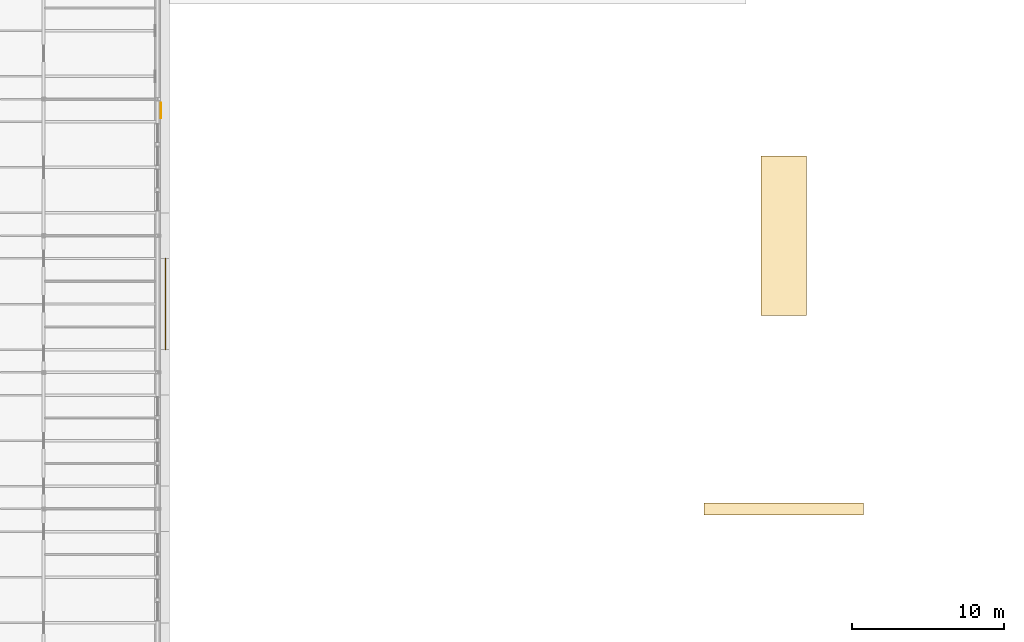
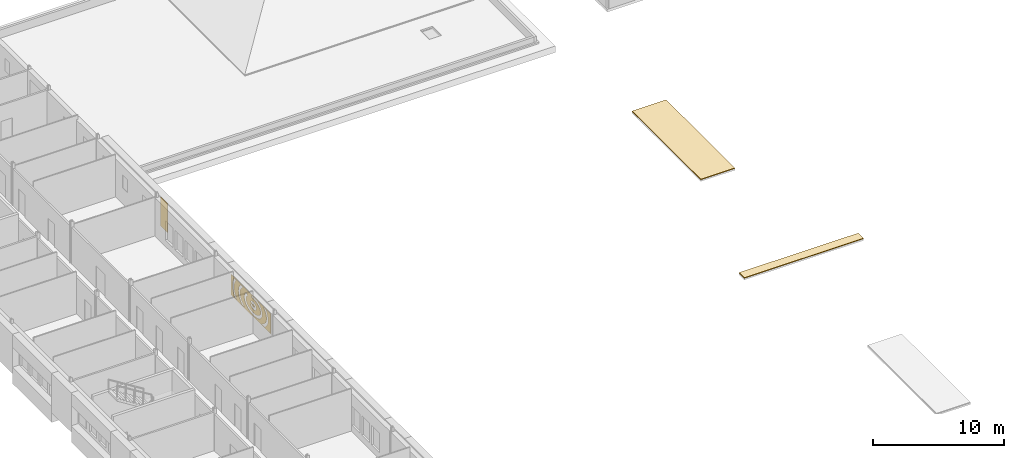
# One storey, part 36 of 42: 4 coverings.
"""IFC4 building model written with IfcOpenShell, lengths in metres."""

from ifc_helpers import new_model, si_unit, direction, frame, origin, place, context, subcontext, project, spatial, polyline, outline, extrude, material, layer, layer_set, type_object, element, save


model = new_model("IFC4")

# Units and contexts
model_context = context("Model", 3, precision=1e-05, world=origin(), true_north=direction((0.0, 1.0)))
body_context = subcontext(model_context, "Body", "Model", "MODEL_VIEW")
ifc_project = project(units=[si_unit("LENGTHUNIT", "METRE"), si_unit("AREAUNIT", "SQUARE_METRE"), si_unit("VOLUMEUNIT", "CUBIC_METRE"), si_unit("PLANEANGLEUNIT", "RADIAN"), si_unit("MASSUNIT", "GRAM", prefix="KILO")], contexts=[model_context])

# Site, building, storey
site_placement = place(None, origin())
site = spatial("IfcSite", under=ifc_project, at=site_placement, CompositionType="ELEMENT")
building_placement = place(site_placement, origin())
building = spatial("IfcBuilding", under=site, at=building_placement, Name="Golden Quay Civic Hall", CompositionType="ELEMENT")
storey_placement = place(building_placement, frame((0.0, 0.0, 22.800048828125)))
storey = spatial("IfcBuildingStorey", under=building, at=storey_placement, Name="L05", CompositionType="ELEMENT", Elevation=22.800048828125)

# Coverings
ifc_material_1 = material(Name="Clay roof tile")
ifc_layer_1 = layer(ifc_material_1, 0.06005859375)
ifc_layer_set_1 = layer_set([ifc_layer_1], Name="Clay roof tile 60")
covering_type_1 = type_object("IfcCoveringType", Name="Clay roof tile 60", PredefinedType="ROOFING", material=ifc_layer_set_1)
covering_1_placement = place(storey_placement, frame((0.0, 0.0, -0.1474609375)))
element("IfcCovering", 1, at=covering_1_placement, inside=storey, type_object=covering_type_1, Name="Roof tiles WM-N cap", PredefinedType="ROOFING", context=body_context, shape_type="SweptSolid", body=[
    extrude(outline(polyline([(57.75, 39.75), (60.75, 39.75), (60.75, 50.25), (57.75, 50.25), (57.75, 39.75)])), origin(), (0.0, 0.0, 1.0), 0.059814453125),
])
covering_2_placement = place(storey_placement, frame((0.0, 0.0, -0.044189453125)))
element("IfcCovering", 2, at=covering_2_placement, inside=storey, type_object=covering_type_1, Name="Roof tiles gable ridge", PredefinedType="ROOFING", context=body_context, shape_type="SweptSolid", body=[
    extrude(outline(polyline([(54.0, 26.60009765625), (64.5, 26.60009765625), (64.5, 27.39990234375), (54.0, 27.39990234375), (54.0, 26.60009765625)])), origin(), (0.0, 0.0, 1.0), 0.06005859375),
])
ifc_material_2 = material(Name="Aluminium, golden anodised, perforated", Category="aluminium")
ifc_layer_2 = layer(ifc_material_2, 0.0400390625)
ifc_layer_set_2 = layer_set([ifc_layer_2], Name="Perforated screen panel 6000 x 1880 x 40")
covering_type_2 = type_object("IfcCoveringType", Name="Perforated screen panel 6000 x 1880 x 40", PredefinedType="CLADDING", material=ifc_layer_set_2)
covering_3_placement = place(storey_placement, frame((18.5, 40.5, 1.5400390625), z_axis=(1.0, 0.0, 0.0), x_axis=(0.0, 1.0, 0.0)))
element("IfcCovering", 3, at=covering_3_placement, inside=storey, type_object=covering_type_2, Name="Perforated screen panel 6000 x 1880 x 40 L05 5", PredefinedType="CLADDING", context=body_context, shape_type="SweptSolid", body=[
    extrude(outline(polyline([(-3.0, -0.93994140625), (3.0, -0.93994140625), (3.0, 0.93994140625), (-3.0, 0.93994140625), (-3.0, -0.93994140625)]), holes=[polyline([(-0.148681640625, 0.11083984375), (-0.189208984375, 0.136962890625), (-0.24951171875, 0.158447265625), (-0.32177734375, 0.169677734375), (-0.37255859375, 0.169921875), (-0.422119140625, 0.164306640625), (-0.48828125, 0.146484375), (-0.53759765625, 0.12158203125), (-0.55810546875, 0.1044921875), (-0.571533203125, 0.08642578125), (-0.571044921875, 0.07275390625), (-0.556396484375, 0.053466796875), (-0.534423828125, 0.036376953125), (-0.502685546875, 0.019287109375), (-0.462646484375, 0.0048828125), (-0.41650390625, -0.00537109375), (-0.34130859375, -0.010498046875), (-0.26708984375, -0.00244140625), (-0.202880859375, 0.016845703125), (-0.169921875, 0.03369140625), (-0.146484375, 0.051025390625), (-0.133056640625, 0.06591796875), (-0.124267578125, 0.08349609375), (0.106201171875, -0.02099609375), (0.077880859375, -0.073974609375), (0.04541015625, -0.114990234375), (-0.001220703125, -0.156982421875), (-0.04150390625, -0.184326171875), (-0.100830078125, -0.214599609375), (-0.1748046875, -0.240234375), (-0.220947265625, -0.251220703125), (-0.2998046875, -0.26171875), (-0.37255859375, -0.262939453125), (-0.412353515625, -0.260498046875), (-0.49853515625, -0.2470703125), (-0.56591796875, -0.2275390625), (-0.6015625, -0.21337890625), (-0.668212890625, -0.17822265625), (-0.7080078125, -0.149658203125), (-0.736328125, -0.1240234375), (-0.761962890625, -0.095703125), (-0.7841796875, -0.064208984375), (-0.802490234375, -0.02978515625), (-0.81591796875, 0.007080078125), (-0.825927734375, 0.06591796875), (-0.822509765625, 0.123779296875), (-0.813232421875, 0.16162109375), (-0.799072265625, 0.197021484375), (-0.780517578125, 0.229736328125), (-0.758544921875, 0.260009765625), (-0.70556640625, 0.3115234375), (-0.6435546875, 0.352783203125), (-0.574462890625, 0.384521484375), (-0.5, 0.40673828125), (-0.461181640625, 0.414306640625), (-0.389404296875, 0.42236328125), (-0.30908203125, 0.422119140625), (-0.261962890625, 0.417724609375), (-0.183837890625, 0.402587890625), (-0.11767578125, 0.38134765625), (-0.073974609375, 0.362060546875), (-0.017578125, 0.328857421875), (0.021240234375, 0.29833984375), (0.063720703125, 0.25341796875), (-0.12939453125, 0.090087890625), (-0.148681640625, 0.11083984375)]), polyline([(-0.28271484375, 0.727294921875), (-0.37158203125, 0.728515625), (-0.460205078125, 0.725341796875), (-0.54833984375, 0.718017578125), (-0.63525390625, 0.70654296875), (-0.72021484375, 0.69140625), (-0.802734375, 0.672119140625), (-0.88232421875, 0.64892578125), (-0.95849609375, 0.62255859375), (-1.030517578125, 0.592529296875), (-1.098388671875, 0.559814453125), (-1.1611328125, 0.524169921875), (-1.21875, 0.486083984375), (-1.27099609375, 0.4462890625), (-1.317138671875, 0.404541015625), (-1.357421875, 0.36181640625), (-1.391357421875, 0.318115234375), (-1.419189453125, 0.274169921875), (-1.441162109375, 0.230224609375), (-1.457275390625, 0.186279296875), (-1.4677734375, 0.142578125), (-1.472900390625, 0.09912109375), (-1.472412109375, 0.0556640625), (-1.466796875, 0.01220703125), (-1.455810546875, -0.031494140625), (-1.43896484375, -0.075439453125), (-1.416259765625, -0.119384765625), (-1.3876953125, -0.163330078125), (-1.352783203125, -0.206787109375), (-1.31201171875, -0.24951171875), (-1.264892578125, -0.291015625), (-1.21240234375, -0.330810546875), (-1.154052734375, -0.368408203125), (-1.090576171875, -0.40380859375), (-1.022216796875, -0.436279296875), (-0.94970703125, -0.4658203125), (-0.873046875, -0.491943359375), (-0.793212890625, -0.514404296875), (-0.710205078125, -0.533203125), (-0.625, -0.548095703125), (-0.5380859375, -0.55908203125), (-0.449951171875, -0.56591796875), (-0.361083984375, -0.568603515625), (-0.272216796875, -0.56689453125), (-0.18359375, -0.561279296875), (-0.096435546875, -0.55126953125), (-0.0107421875, -0.537353515625), (0.07275390625, -0.51953125), (0.153564453125, -0.497802734375), (0.23095703125, -0.47265625), (0.3046875, -0.44384765625), (0.3740234375, -0.412109375), (0.438720703125, -0.37744140625), (0.498291015625, -0.34033203125), (0.552490234375, -0.301025390625), (0.600830078125, -0.260009765625), (0.643310546875, -0.217529296875), (0.6796875, -0.17431640625), (0.709716796875, -0.13037109375), (0.73388671875, -0.086181640625), (0.752197265625, -0.042236328125), (0.7646484375, 0.00146484375), (0.771484375, 0.044921875), (0.773193359375, 0.08837890625), (0.76953125, 0.1318359375), (0.760498046875, 0.17529296875), (0.745849609375, 0.21923828125), (0.725341796875, 0.26318359375), (0.698974609375, 0.307373046875), (0.666259765625, 0.35107421875), (0.627685546875, 0.39404296875), (0.5830078125, 0.43603515625), (0.528564453125, 0.4794921875), (0.6865234375, 0.677001953125), (0.74462890625, 0.630615234375), (0.8046875, 0.57470703125), (0.8583984375, 0.515625), (0.905517578125, 0.453369140625), (0.945556640625, 0.3876953125), (0.97802734375, 0.3193359375), (1.002685546875, 0.24853515625), (1.018798828125, 0.17578125), (1.02587890625, 0.10205078125), (1.02392578125, 0.027587890625), (1.01318359375, -0.046142578125), (0.993408203125, -0.11865234375), (0.96484375, -0.189208984375), (0.928466796875, -0.25732421875), (0.884521484375, -0.322509765625), (0.83349609375, -0.38427734375), (0.768310546875, -0.449462890625), (0.704833984375, -0.5029296875), (0.643310546875, -0.547607421875), (0.561767578125, -0.598388671875), (0.48291015625, -0.640380859375), (0.399658203125, -0.67822265625), (0.312744140625, -0.7119140625), (0.228759765625, -0.7392578125), (0.12890625, -0.76611328125), (0.032958984375, -0.78662109375), (-0.06494140625, -0.80224609375), (-0.164306640625, -0.813232421875), (-0.2646484375, -0.819580078125), (-0.359619140625, -0.8212890625), (-0.460205078125, -0.818603515625), (-0.560546875, -0.81103515625), (-0.659423828125, -0.798828125), (-0.76318359375, -0.780517578125), (-0.852294921875, -0.760498046875), (-0.945068359375, -0.734375), (-1.03466796875, -0.7041015625), (-1.12060546875, -0.669189453125), (-1.202880859375, -0.63037109375), (-1.280517578125, -0.58740234375), (-1.361083984375, -0.535400390625), (-1.421142578125, -0.489990234375), (-1.4833984375, -0.435546875), (-1.546875, -0.369140625), (-1.59619140625, -0.306640625), (-1.63818359375, -0.24072265625), (-1.6669921875, -0.184814453125), (-1.694580078125, -0.11474609375), (-1.7138671875, -0.042724609375), (-1.724365234375, 0.03076171875), (-1.724853515625, 0.12060546875), (-1.715576171875, 0.194091796875), (-1.70166015625, 0.252197265625), (-1.67626953125, 0.32373046875), (-1.642822265625, 0.392822265625), (-1.6015625, 0.458984375), (-1.552978515625, 0.52197265625), (-1.497802734375, 0.58154296875), (-1.436279296875, 0.637451171875), (-1.36181640625, 0.69482421875), (-1.28955078125, 0.7421875), (-1.219482421875, 0.78173828125), (-1.130615234375, 0.824951171875), (-1.0517578125, 0.857666015625), (-0.98779296875, 0.8798828125), (-0.085693359375, 0.8798828125), (-0.103515625, 0.71240234375), (-0.194091796875, 0.72216796875), (-0.28271484375, 0.727294921875)]), polyline([(-1.856689453125, 0.8798828125), (-1.965087890625, 0.802001953125), (-2.039794921875, 0.73876953125), (-2.107177734375, 0.673095703125), (-2.167236328125, 0.605712890625), (-2.219482421875, 0.536865234375), (-2.26416015625, 0.466552734375), (-2.30126953125, 0.395751953125), (-2.330322265625, 0.32421875), (-2.35205078125, 0.252197265625), (-2.3662109375, 0.180419921875), (-2.372802734375, 0.108154296875), (-2.3720703125, 0.0361328125), (-2.36376953125, -0.035888671875), (-2.347900390625, -0.10791015625), (-2.32470703125, -0.1796875), (-2.293701171875, -0.251220703125), (-2.255126953125, -0.322021484375), (-2.208740234375, -0.391845703125), (-2.15478515625, -0.46044921875), (-2.093017578125, -0.527587890625), (-2.024169921875, -0.5927734375), (-1.947998046875, -0.655517578125), (-1.86474609375, -0.715576171875), (-1.77490234375, -0.7724609375), (-1.67919921875, -0.825927734375), (-1.568115234375, -0.8798828125), (-2.06884765625, -0.8798828125), (-2.09912109375, -0.858154296875), (-2.18798828125, -0.78515625), (-2.2763671875, -0.701904296875), (-2.34423828125, -0.628173828125), (-2.41064453125, -0.544189453125), (-2.468994140625, -0.457275390625), (-2.5185546875, -0.3671875), (-2.55908203125, -0.27490234375), (-2.590576171875, -0.18017578125), (-2.6123046875, -0.083740234375), (-2.6240234375, 0.013916015625), (-2.625732421875, 0.11181640625), (-2.617431640625, 0.2099609375), (-2.59619140625, 0.3193359375), (-2.56689453125, 0.414306640625), (-2.5283203125, 0.50732421875), (-2.48046875, 0.597900390625), (-2.424072265625, 0.685546875), (-2.365478515625, 0.7626953125), (-2.293212890625, 0.8447265625), (-2.257080078125, 0.8798828125), (-1.856689453125, 0.8798828125)]), polyline([(0.867919921875, -0.8798828125), (0.981689453125, -0.82470703125), (1.077392578125, -0.77099609375), (1.1669921875, -0.714111328125), (1.25, -0.65380859375), (1.325927734375, -0.591064453125), (1.394775390625, -0.52587890625), (1.456298828125, -0.458740234375), (1.510009765625, -0.39013671875), (1.55615234375, -0.3203125), (1.5947265625, -0.24951171875), (1.62548828125, -0.177978515625), (1.6484375, -0.106201171875), (1.6640625, -0.0341796875), (1.672119140625, 0.037841796875), (1.672607421875, 0.110107421875), (1.666015625, 0.18212890625), (1.651611328125, 0.254150390625), (1.6298828125, 0.325927734375), (1.600341796875, 0.3974609375), (1.563232421875, 0.468505859375), (1.518310546875, 0.53857421875), (1.4658203125, 0.607421875), (1.405517578125, 0.6748046875), (1.337890625, 0.740234375), (1.26318359375, 0.803466796875), (1.156982421875, 0.8798828125), (1.557373046875, 0.8798828125), (1.59130859375, 0.8466796875), (1.663818359375, 0.7646484375), (1.72265625, 0.687744140625), (1.779296875, 0.60009765625), (1.83203125, 0.499267578125), (1.865966796875, 0.416748046875), (1.8955078125, 0.321533203125), (1.9169921875, 0.21240234375), (1.925048828125, 0.127197265625), (1.925048828125, 0.029296875), (1.91259765625, -0.081298828125), (1.89111328125, -0.177734375), (1.860107421875, -0.2724609375), (1.819580078125, -0.364990234375), (1.770263671875, -0.455078125), (1.71240234375, -0.5419921875), (1.652099609375, -0.61865234375), (1.578125, -0.7001953125), (1.49658203125, -0.777587890625), (1.40771484375, -0.851318359375), (1.368896484375, -0.8798828125), (0.867919921875, -0.8798828125)]), polyline([(-2.93994140625, -0.732177734375), (-2.83642578125, -0.843017578125), (-2.79638671875, -0.8798828125), (-2.93994140625, -0.8798828125), (-2.93994140625, -0.732177734375)]), polyline([(2.178955078125, -0.80029296875), (2.255615234375, -0.71533203125), (2.323974609375, -0.62841796875), (2.38427734375, -0.5400390625), (2.436279296875, -0.4501953125), (2.47998046875, -0.359375), (2.51513671875, -0.267578125), (2.5419921875, -0.17529296875), (2.560791015625, -0.082763671875), (2.571044921875, 0.010009765625), (2.5732421875, 0.10302734375), (2.56689453125, 0.196044921875), (2.552490234375, 0.288818359375), (2.52978515625, 0.381103515625), (2.498779296875, 0.47314453125), (2.459228515625, 0.564453125), (2.41162109375, 0.65478515625), (2.35546875, 0.744140625), (2.291015625, 0.831787109375), (2.25048828125, 0.8798828125), (2.568603515625, 0.8798828125), (2.6328125, 0.77734375), (2.685302734375, 0.67822265625), (2.73291015625, 0.568603515625), (2.774169921875, 0.447021484375), (2.801513671875, 0.3330078125), (2.819091796875, 0.218505859375), (2.826171875, 0.10302734375), (2.822998046875, -0.01220703125), (2.809814453125, -0.127197265625), (2.7890625, -0.23046875), (2.753173828125, -0.353515625), (2.710205078125, -0.464111328125), (2.662109375, -0.56396484375), (2.595947265625, -0.678466796875), (2.525390625, -0.781494140625), (2.447509765625, -0.8798828125), (2.097412109375, -0.8798828125), (2.178955078125, -0.80029296875)])]), origin(), (0.0, 0.0, 1.0), 0.0400390625),
])
ifc_material_3 = material(Name="Terracotta cladding, golden glaze", Category="masonry")
ifc_layer_3 = layer(ifc_material_3, 0.050048828125)
ifc_layer_set_3 = layer_set([ifc_layer_3], Name="Terracotta solid panel 1050 x 2700 x 50")
covering_type_3 = type_object("IfcCoveringType", Name="Terracotta solid panel 1050 x 2700 x 50", PredefinedType="CLADDING", material=ifc_layer_set_3)
covering_4_placement = place(storey_placement, frame((0.0, 0.0, 0.89990234375)))
element("IfcCovering", 4, at=covering_4_placement, inside=storey, type_object=covering_type_3, Name="Terracotta solid panel 1050 x 2700 x 50 L05 12", PredefinedType="CLADDING", context=body_context, shape_type="SweptSolid", body=[
    extrude(outline(polyline([(18.199951171875, 52.72509765625), (18.199951171875, 53.77490234375), (18.25, 53.77490234375), (18.25, 52.72509765625), (18.199951171875, 52.72509765625)])), origin(), (0.0, 0.0, 1.0), 2.699951171875),
])

save(model, "model.ifc")
